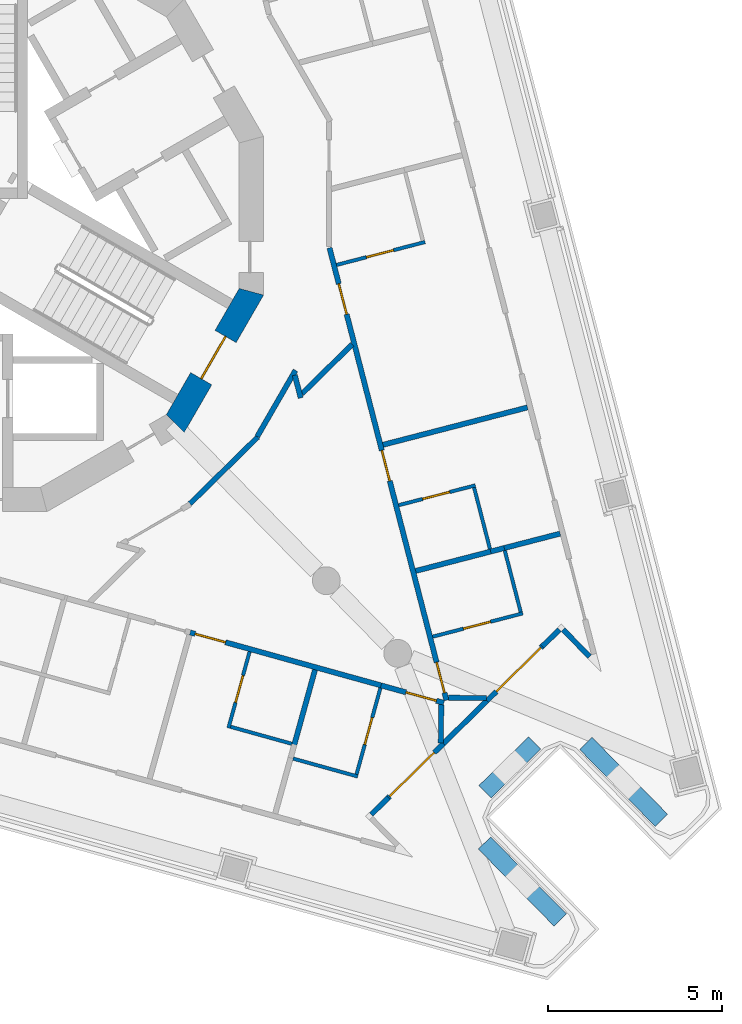
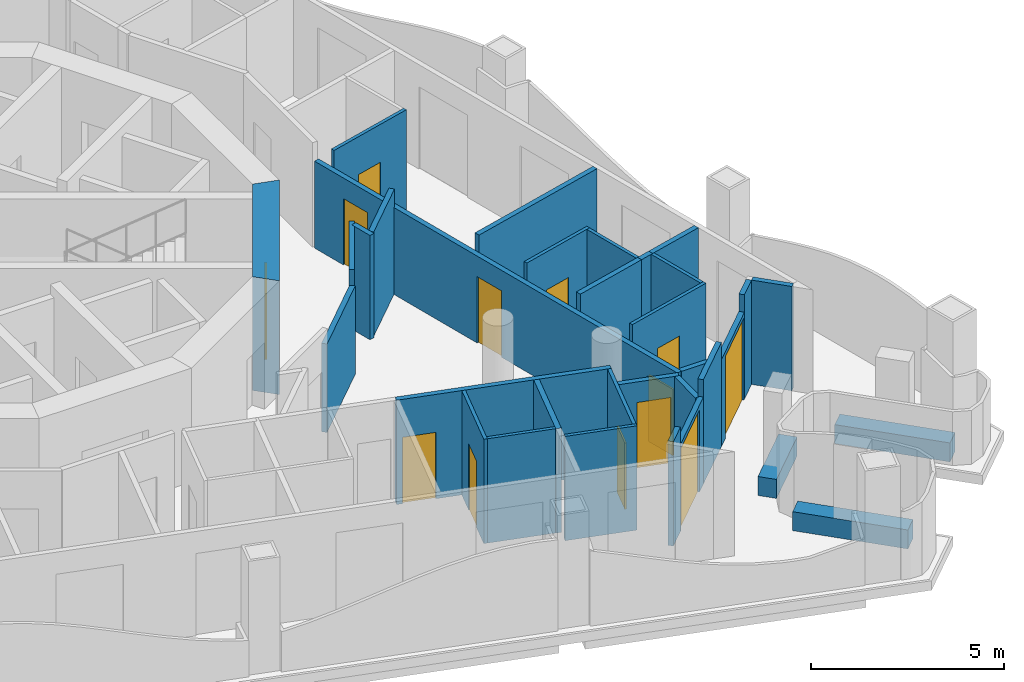
# One storey, part 6 of 15: 33 walls, 13 doors, 13 openings.
"""IFC4 building model written with IfcOpenShell, lengths in metres."""

from ifc_helpers import new_model, si_unit, direction, frame, frame_2d, origin, place, context, subcontext, project, spatial, polyline, rectangle, outline, extrude, material, layer, layer_set, type_object, element, fill, save


model = new_model("IFC4")

# Units and contexts
model_context = context("Model", 3, precision=1e-05, world=origin(), true_north=direction((0.0, 1.0)))
body_context = subcontext(model_context, "Body", "Model", "MODEL_VIEW")
ifc_project = project(units=[si_unit("LENGTHUNIT", "METRE"), si_unit("AREAUNIT", "SQUARE_METRE"), si_unit("VOLUMEUNIT", "CUBIC_METRE"), si_unit("PLANEANGLEUNIT", "RADIAN"), si_unit("MASSUNIT", "GRAM", prefix="KILO")], contexts=[model_context])

# Site, building, storey
site_placement = place(None, origin())
site = spatial("IfcSite", under=ifc_project, at=site_placement, CompositionType="ELEMENT")
building_placement = place(site_placement, origin())
building = spatial("IfcBuilding", under=site, at=building_placement, Name="Trine Commons Tower", CompositionType="ELEMENT")
storey_placement = place(building_placement, frame((0.0, 0.0, 260.10009765625)))
storey = spatial("IfcBuildingStorey", under=building, at=storey_placement, Name="L68", CompositionType="ELEMENT", Elevation=260.10009765625)

# Walls
ifc_material_1 = material(Name="Aluminium-framed insulated wall panel", Category="aluminium")
ifc_layer_1 = layer(ifc_material_1, 0.14990234375)
ifc_layer_set_1 = layer_set([ifc_layer_1], Name="Aluminium-framed insulated wall panel")
wall_type_1 = type_object("IfcWallType", Name="Glazed frame wall 150, EI 60", PredefinedType="SOLIDWALL", material=ifc_layer_set_1)
wall_1_placement = place(storey_placement, frame((97.966796875, 49.731201171875, 0.0), z_axis=(0.0, 0.0, 1.0), x_axis=(-0.700999978355, 0.71316129336, 0.0)))
element("IfcWall", 1, at=wall_1_placement, inside=storey, type_object=wall_type_1, Name="Glazed frame wall R6", PredefinedType="SOLIDWALL", context=body_context, shape_type="SweptSolid", body=[
    extrude(outline(polyline([(0.1494140625, 0.074951171875), (0.1494140625, -0.074951171875), (1.235107421875, -0.074951171875), (1.235107421875, 0.074951171875), (0.1494140625, 0.074951171875)])), origin(), (0.0, 0.0, 1.0), 3.2998046875),
])
wall_2_placement = place(storey_placement, frame((97.073486328125, 50.690185546875, 0.0), z_axis=(0.0, 0.0, 1.0), x_axis=(-0.713183853176, -0.700977026421, 0.0)))
element("IfcWall", 2, at=wall_2_placement, inside=storey, type_object=wall_type_1, Name="Glazed frame wall P2.1", PredefinedType="SOLIDWALL", context=body_context, shape_type="SweptSolid", body=[
    extrude(outline(polyline([(0.110107421875, -0.074951171875), (0.800048828125, -0.074951171875), (0.800048828125, 0.074951171875), (0.110107421875, 0.074951171875), (0.110107421875, -0.074951171875)])), origin(), (0.0, 0.0, 1.0), 3.2998046875),
])

# Wall, opening, door
wall_3_placement = place(storey_placement, frame((96.5029296875, 50.12939453125, 0.0), z_axis=(0.0, 0.0, 1.0), x_axis=(-0.713289197044, -0.70086983198, 0.0)))
wall_3 = element("IfcWall", 3, at=wall_3_placement, inside=storey, type_object=wall_type_1, Name="Glazed frame wall P2.2", PredefinedType="SOLIDWALL", context=body_context, shape_type="SweptSolid", body=[
    extrude(outline(polyline([(0.0, -0.074951171875), (2.221435546875, -0.074951171875), (2.221435546875, 0.074951171875), (0.0, 0.074951171875), (0.0, -0.074951171875)])), origin(), (0.0, 0.0, 1.0), 2.75),
])
opening_1_placement = place(wall_3_placement, frame((0.050048828125, 0.0, 0.0)))
opening_1 = element("IfcOpeningElement", 4, at=opening_1_placement, cuts=wall_3, Name="Opening BD-7P2-01", PredefinedType="OPENING", context=body_context, shape_type="SweptSolid", body=[
    extrude(rectangle(XDim=1.800048828125, YDim=2.60009765625, at=frame_2d((0.89990234375, 1.300048828125))), frame((0.0, 0.0849609375, 0.0), z_axis=(0.0, -1.0, 0.0), x_axis=(1.0, 0.0, 0.0)), (0.0, 0.0, 1.0), 0.169921875),
])
ifc_material_2 = material(Name="Anodised aluminium frame with double glazing", Category="aluminium")
door_type_1 = type_object("IfcDoorType", Name="Sliding loggia door 1800x2600", OperationType="SLIDING_TO_LEFT", PredefinedType="DOOR", material=ifc_material_2)
door_1_placement = place(opening_1_placement, origin())
door_1 = element("IfcDoor", 5, at=door_1_placement, inside=storey, type_object=door_type_1, Name="Loggia door P2 1", OperationType="SLIDING_TO_LEFT", OverallHeight=2.60009765625, OverallWidth=1.800048828125, PredefinedType="DOOR", context=body_context, shape_type="SweptSolid", body=[
    extrude(rectangle(XDim=1.800048828125, YDim=2.60009765625, at=frame_2d((0.89990234375, 1.300048828125))), frame((0.0, 0.02490234375, 0.0), z_axis=(0.0, -1.0, 0.0), x_axis=(1.0, 0.0, 0.0)), (0.0, 0.0, 1.0), 0.050048828125),
])
fill(opening_1, door_1)

# Wall
wall_4_placement = place(storey_placement, frame((94.91845703125, 48.572509765625, 0.0), z_axis=(0.0, 0.0, 1.0), x_axis=(-0.713193839807, -0.700966865737, 0.0)))
element("IfcWall", 6, at=wall_4_placement, inside=storey, type_object=wall_type_1, Name="Glazed frame wall P2.3", PredefinedType="SOLIDWALL", context=body_context, shape_type="SweptSolid", body=[
    extrude(outline(polyline([(0.0, -0.074951171875), (1.757080078125, -0.074951171875), (1.757080078125, 0.074951171875), (0.0, 0.074951171875), (0.0, -0.074951171875)])), origin(), (0.0, 0.0, 1.0), 3.2998046875),
])

# Wall, opening, door
wall_5_placement = place(storey_placement, frame((93.665283203125, 47.3408203125, 0.0), z_axis=(0.0, 0.0, 1.0), x_axis=(-0.713234254618, -0.700925743599, 0.0)))
wall_5 = element("IfcWall", 7, at=wall_5_placement, inside=storey, type_object=wall_type_1, Name="Glazed frame wall P2.4", PredefinedType="SOLIDWALL", context=body_context, shape_type="SweptSolid", body=[
    extrude(outline(polyline([(0.0, -0.074951171875), (2.221435546875, -0.074951171875), (2.221435546875, 0.074951171875), (0.0, 0.074951171875), (0.0, -0.074951171875)])), origin(), (0.0, 0.0, 1.0), 2.75),
])
opening_2_placement = place(wall_5_placement, frame((0.37158203125, 0.0, 0.0)))
opening_2 = element("IfcOpeningElement", 8, at=opening_2_placement, cuts=wall_5, Name="Opening BD-7P2-02", PredefinedType="OPENING", context=body_context, shape_type="SweptSolid", body=[
    extrude(rectangle(XDim=1.800048828125, YDim=2.60009765625, at=frame_2d((0.89990234375, 1.300048828125))), frame((0.0, 0.0849609375, 0.0), z_axis=(0.0, -1.0, 0.0), x_axis=(1.0, 0.0, 0.0)), (0.0, 0.0, 1.0), 0.169921875),
])
door_2_placement = place(opening_2_placement, origin())
door_2 = element("IfcDoor", 9, at=door_2_placement, inside=storey, type_object=door_type_1, Name="Loggia door P2 2", OperationType="SLIDING_TO_LEFT", OverallHeight=2.60009765625, OverallWidth=1.800048828125, PredefinedType="DOOR", context=body_context, shape_type="SweptSolid", body=[
    extrude(rectangle(XDim=1.800048828125, YDim=2.60009765625, at=frame_2d((0.89990234375, 1.300048828125))), frame((0.0, 0.02490234375, 0.0), z_axis=(0.0, -1.0, 0.0), x_axis=(1.0, 0.0, 0.0)), (0.0, 0.0, 1.0), 0.050048828125),
])
fill(opening_2, door_2)

# Walls
wall_6_placement = place(storey_placement, frame((92.080810546875, 45.78369140625, 0.0), z_axis=(0.0, 0.0, 1.0), x_axis=(-0.713333755576, -0.700824480991, 0.0)))
element("IfcWall", 10, at=wall_6_placement, inside=storey, type_object=wall_type_1, Name="Glazed frame wall P2.5", PredefinedType="SOLIDWALL", context=body_context, shape_type="SweptSolid", body=[
    extrude(outline(polyline([(0.68994140625, 0.074951171875), (0.0, 0.074951171875), (0.0, -0.074951171875), (0.68994140625, -0.074951171875), (0.68994140625, 0.074951171875)])), origin(), (0.0, 0.0, 1.0), 3.2998046875),
])
ifc_material_3 = material(Name="Planter trough, precast concrete C40/50", Category="concrete")
ifc_layer_2 = layer(ifc_material_3, 0.5)
ifc_layer_set_2 = layer_set([ifc_layer_2], Name="Planter trough, precast concrete C40/50")
wall_type_2 = type_object("IfcWallType", Name="Planter trough 500x600", PredefinedType="PARAPET", material=ifc_layer_set_2)
wall_7_placement = place(storey_placement, frame((99.927734375, 45.1318359375, 0.0), z_axis=(0.0, 0.0, 1.0), x_axis=(-0.700897681372, 0.713261831481, 0.0)))
element("IfcWall", 11, at=wall_7_placement, inside=storey, type_object=wall_type_2, Name="Planter 7", PredefinedType="PARAPET", context=body_context, shape_type="SweptSolid", body=[
    extrude(rectangle(XDim=3.10009765625, YDim=0.5, at=frame_2d((1.550048828125, 0.0))), origin(), (0.0, 0.0, 1.0), 0.599853515625),
])
wall_8_placement = place(storey_placement, frame((96.2841796875, 47.355712890625, 0.0), z_axis=(0.0, 0.0, 1.0), x_axis=(-0.713305380591, -0.700853361282, 0.0)))
element("IfcWall", 12, at=wall_8_placement, inside=storey, type_object=wall_type_2, Name="Planter 8", PredefinedType="PARAPET", context=body_context, shape_type="SweptSolid", body=[
    extrude(rectangle(XDim=1.999755859375, YDim=0.5, at=frame_2d((1.0, 0.0))), origin(), (0.0, 0.0, 1.0), 0.599853515625),
])
wall_9_placement = place(storey_placement, frame((94.844970703125, 44.4833984375, 0.0), z_axis=(0.0, 0.0, 1.0), x_axis=(0.700857613291, -0.713301202784, 0.0)))
element("IfcWall", 13, at=wall_9_placement, inside=storey, type_object=wall_type_2, Name="Planter 9", PredefinedType="PARAPET", context=body_context, shape_type="SweptSolid", body=[
    extrude(rectangle(XDim=3.099853515625, YDim=0.5, at=frame_2d((1.5498046875, 0.0))), origin(), (0.0, 0.0, 1.0), 0.599853515625),
])

# Wall, opening, door
ifc_material_4 = material(Name="Concrete C50/60", Category="concrete")
ifc_layer_3 = layer(ifc_material_4, 0.699951171875)
ifc_layer_set_3 = layer_set([ifc_layer_3], Name="Concrete C50/60")
wall_type_3 = type_object("IfcWallType", Name="RC shear wall 700 mm, C50/60", PredefinedType="SHEAR", material=ifc_layer_set_3)
wall_10_placement = place(storey_placement, frame((85.91943359375, 56.452392578125, 0.0), z_axis=(0.0, 0.0, 1.0), x_axis=(0.499983800959, 0.866034756103, 0.0)))
wall_10 = element("IfcWall", 14, at=wall_10_placement, inside=storey, type_object=wall_type_3, Name="Core wall CWG-12 L68", PredefinedType="SHEAR", context=body_context, shape_type="SweptSolid", body=[
    extrude(outline(polyline([(0.0, -0.35009765625), (4.55517578125, -0.35009765625), (4.36767578125, 0.35009765625), (0.1875, 0.35009765625), (0.0, -0.35009765625)])), origin(), (0.0, 0.0, 1.0), 3.599853515625),
])
opening_3_placement = place(wall_10_placement, frame((1.577392578125, 0.0, 0.0)))
opening_3 = element("IfcOpeningElement", 15, at=opening_3_placement, cuts=wall_10, Name="Opening K16.03", PredefinedType="OPENING", context=body_context, shape_type="SweptSolid", body=[
    extrude(rectangle(XDim=1.39990234375, YDim=2.10009765625, at=frame_2d((0.699951171875, 1.050048828125))), frame((0.0, 0.35986328125, 0.0), z_axis=(0.0, -1.0, 0.0), x_axis=(1.0, 0.0, 0.0)), (0.0, 0.0, 1.0), 0.719970703125),
])
ifc_material_5 = material(Name="Steel door leaves, fire-rated", Category="steel")
door_type_2 = type_object("IfcDoorType", Name="Stair door, double leaf 1400 x 2100, FD90", OperationType="DOUBLE_DOOR_SINGLE_SWING", PredefinedType="DOOR", material=ifc_material_5)
door_3_placement = place(opening_3_placement, origin())
door_3 = element("IfcDoor", 16, at=door_3_placement, inside=storey, type_object=door_type_2, Name="Stair door to Exit stair ST3C L68", OperationType="DOUBLE_DOOR_SINGLE_SWING", OverallHeight=2.10009765625, OverallWidth=1.39990234375, PredefinedType="DOOR", context=body_context, shape_type="SweptSolid", body=[
    extrude(rectangle(XDim=1.39990234375, YDim=2.10009765625, at=frame_2d((0.699951171875, 1.050048828125))), frame((0.0, 0.02490234375, 0.0), z_axis=(0.0, -1.0, 0.0), x_axis=(1.0, 0.0, 0.0)), (0.0, 0.0, 1.0), 0.050048828125),
])
fill(opening_3, door_3)

# Wall
ifc_material_6 = material(Name="Gypsum plasterboard on steel stud", Category="steel")
ifc_layer_4 = layer(ifc_material_6, 0.14990234375)
ifc_layer_set_4 = layer_set([ifc_layer_4], Name="Gypsum plasterboard on steel stud")
wall_type_4 = type_object("IfcWallType", Name="Unit and corridor wall 150 mm, EI 60", PredefinedType="PARTITIONING", material=ifc_layer_set_4)
wall_11_placement = place(storey_placement, frame((86.384521484375, 54.2275390625, 0.0), z_axis=(0.0, 0.0, 1.0), x_axis=(0.713113779806, 0.701048312922, 0.0)))
element("IfcWall", 17, at=wall_11_placement, inside=storey, type_object=wall_type_4, Name="Partition 083", PredefinedType="PARTITIONING", context=body_context, shape_type="SweptSolid", body=[
    extrude(rectangle(XDim=2.731689453125, YDim=0.14990234375, at=frame_2d((1.36572265625, 0.0))), origin(), (0.0, 0.0, 1.0), 2.7998046875),
])

# Wall, opening, door
wall_12_placement = place(storey_placement, frame((86.39111328125, 50.529052734375, 0.0), z_axis=(0.0, 0.0, 1.0), x_axis=(0.963638337946, -0.267209943005, 0.0)))
wall_12 = element("IfcWall", 18, at=wall_12_placement, inside=storey, type_object=wall_type_4, Name="Partition 084", PredefinedType="PARTITIONING", context=body_context, shape_type="SweptSolid", body=[
    extrude(rectangle(XDim=5.74609375, YDim=0.14990234375, at=frame_2d((2.873046875, 0.0))), origin(), (0.0, 0.0, 1.0), 3.2998046875),
])
opening_4_placement = place(wall_12_placement, frame((0.14990234375, 0.0, 0.0)))
opening_4 = element("IfcOpeningElement", 19, at=opening_4_placement, cuts=wall_12, Name="Opening D-7C19", PredefinedType="OPENING", context=body_context, shape_type="SweptSolid", body=[
    extrude(rectangle(XDim=0.89990234375, YDim=2.10009765625, at=frame_2d((0.449951171875, 1.050048828125))), frame((0.0, 0.0849609375, 0.0), z_axis=(0.0, -1.0, 0.0), x_axis=(1.0, 0.0, 0.0)), (0.0, 0.0, 1.0), 0.169921875),
])
ifc_material_7 = material(Name="Timber fire door set", Category="wood")
door_type_3 = type_object("IfcDoorType", Name="Bedroom door 900 x 2100, FD30S", OperationType="NOTDEFINED", PredefinedType="DOOR", material=ifc_material_7)
door_4_placement = place(opening_4_placement, frame((0.89990234375, 0.0, 0.0), z_axis=(0.0, 0.0, 1.0), x_axis=(-1.0, 0.0, 0.0)))
door_4 = element("IfcDoor", 20, at=door_4_placement, inside=storey, type_object=door_type_3, Name="Door D-7C19", OperationType="SINGLE_SWING_RIGHT", OverallHeight=2.10009765625, OverallWidth=0.89990234375, PredefinedType="DOOR", context=body_context, shape_type="SweptSolid", body=[
    extrude(rectangle(XDim=0.89990234375, YDim=2.10009765625, at=frame_2d((0.449951171875, 1.050048828125))), frame((0.0, 0.02490234375, 0.0), z_axis=(0.0, -1.0, 0.0), x_axis=(1.0, 0.0, 0.0)), (0.0, 0.0, 1.0), 0.050048828125),
])
fill(opening_4, door_4)

# Walls
wall_13_placement = place(storey_placement, frame((88.31640625, 56.15478515625, 0.0), z_axis=(0.0, 0.0, 1.0), x_axis=(0.500129524705, 0.865950609745, 0.0)))
element("IfcWall", 21, at=wall_13_placement, inside=storey, type_object=wall_type_4, Name="Partition 093", PredefinedType="PARTITIONING", context=body_context, shape_type="SweptSolid", body=[
    extrude(rectangle(XDim=2.19775390625, YDim=0.14990234375, at=frame_2d((1.098876953125, 0.0))), origin(), (0.0, 0.0, 1.0), 3.2998046875),
])
wall_14_placement = place(storey_placement, frame((89.396728515625, 57.92041015625, 0.0), z_axis=(0.0, 0.0, 1.0), x_axis=(0.249398389606, -0.968400972357, 0.0)))
element("IfcWall", 22, at=wall_14_placement, inside=storey, type_object=wall_type_4, Name="Partition 101", PredefinedType="PARTITIONING", context=body_context, shape_type="SweptSolid", body=[
    extrude(rectangle(XDim=0.677490234375, YDim=0.14990234375, at=frame_2d((0.3388671875, 0.0))), origin(), (0.0, 0.0, 1.0), 3.2998046875),
])
wall_15_placement = place(storey_placement, frame((89.36865234375, 47.259765625, 0.0), z_axis=(0.0, 0.0, 1.0), x_axis=(0.266876022504, 0.963730869388, 0.0)))
element("IfcWall", 23, at=wall_15_placement, inside=storey, type_object=wall_type_4, Name="Partition 102", PredefinedType="PARTITIONING", context=body_context, shape_type="SweptSolid", body=[
    extrude(rectangle(XDim=2.27978515625, YDim=0.14990234375, at=frame_2d((1.139892578125, 0.0))), origin(), (0.0, 0.0, 1.0), 3.2998046875),
])
wall_16_placement = place(storey_placement, frame((89.60546875, 57.3896484375, 0.0), z_axis=(0.0, 0.0, 1.0), x_axis=(0.713082264155, 0.701080369535, 0.0)))
element("IfcWall", 24, at=wall_16_placement, inside=storey, type_object=wall_type_4, Name="Partition 106", PredefinedType="PARTITIONING", context=body_context, shape_type="SweptSolid", body=[
    extrude(rectangle(XDim=2.013916015625, YDim=0.14990234375, at=frame_2d((1.0068359375, 0.0))), origin(), (0.0, 0.0, 1.0), 3.2998046875),
])

# Wall, openings, doors
wall_17_placement = place(storey_placement, frame((90.39208984375, 61.576904296875, 0.0), z_axis=(0.0, 0.0, 1.0), x_axis=(0.250222915492, -0.968188252646, 0.0)))
wall_17 = element("IfcWall", 25, at=wall_17_placement, inside=storey, type_object=wall_type_4, Name="Partition 109", PredefinedType="PARTITIONING", context=body_context, shape_type="SweptSolid", body=[
    extrude(rectangle(XDim=13.422607421875, YDim=0.14990234375, at=frame_2d((6.71142578125, 0.0))), origin(), (0.0, 0.0, 1.0), 2.75),
])
opening_5_placement = place(wall_17_placement, frame((1.06884765625, 0.0, 0.0)))
opening_5 = element("IfcOpeningElement", 26, at=opening_5_placement, cuts=wall_17, Name="Opening D-7C15", PredefinedType="OPENING", context=body_context, shape_type="SweptSolid", body=[
    extrude(rectangle(XDim=0.89990234375, YDim=2.10009765625, at=frame_2d((0.449951171875, 1.050048828125))), frame((0.0, 0.0849609375, 0.0), z_axis=(0.0, -1.0, 0.0), x_axis=(1.0, 0.0, 0.0)), (0.0, 0.0, 1.0), 0.169921875),
])
opening_6_placement = place(wall_17_placement, frame((6.011962890625, 0.0, 0.0)))
opening_6 = element("IfcOpeningElement", 27, at=opening_6_placement, cuts=wall_17, Name="Opening D-7C16", PredefinedType="OPENING", context=body_context, shape_type="SweptSolid", body=[
    extrude(rectangle(XDim=0.89990234375, YDim=2.10009765625, at=frame_2d((0.449951171875, 1.050048828125))), frame((0.0, 0.0849609375, 0.0), z_axis=(0.0, -1.0, 0.0), x_axis=(1.0, 0.0, 0.0)), (0.0, 0.0, 1.0), 0.169921875),
])
opening_7_placement = place(wall_17_placement, frame((12.297607421875, 0.0, 0.0)))
opening_7 = element("IfcOpeningElement", 28, at=opening_7_placement, cuts=wall_17, Name="Opening D-7C17", PredefinedType="OPENING", context=body_context, shape_type="SweptSolid", body=[
    extrude(rectangle(XDim=0.89990234375, YDim=2.10009765625, at=frame_2d((0.449951171875, 1.050048828125))), frame((0.0, 0.0849609375, 0.0), z_axis=(0.0, -1.0, 0.0), x_axis=(1.0, 0.0, 0.0)), (0.0, 0.0, 1.0), 0.169921875),
])
door_5_placement = place(opening_5_placement, origin())
door_5 = element("IfcDoor", 29, at=door_5_placement, inside=storey, type_object=door_type_3, Name="Door D-7C15", OperationType="SINGLE_SWING_LEFT", OverallHeight=2.10009765625, OverallWidth=0.89990234375, PredefinedType="DOOR", context=body_context, shape_type="SweptSolid", body=[
    extrude(rectangle(XDim=0.89990234375, YDim=2.10009765625, at=frame_2d((0.449951171875, 1.050048828125))), frame((0.0, 0.02490234375, 0.0), z_axis=(0.0, -1.0, 0.0), x_axis=(1.0, 0.0, 0.0)), (0.0, 0.0, 1.0), 0.050048828125),
])
fill(opening_5, door_5)
door_6_placement = place(opening_6_placement, origin())
door_6 = element("IfcDoor", 30, at=door_6_placement, inside=storey, type_object=door_type_3, Name="Door D-7C16", OperationType="SINGLE_SWING_LEFT", OverallHeight=2.10009765625, OverallWidth=0.89990234375, PredefinedType="DOOR", context=body_context, shape_type="SweptSolid", body=[
    extrude(rectangle(XDim=0.89990234375, YDim=2.10009765625, at=frame_2d((0.449951171875, 1.050048828125))), frame((0.0, 0.02490234375, 0.0), z_axis=(0.0, -1.0, 0.0), x_axis=(1.0, 0.0, 0.0)), (0.0, 0.0, 1.0), 0.050048828125),
])
fill(opening_6, door_6)
door_7_placement = place(opening_7_placement, origin())
door_7 = element("IfcDoor", 31, at=door_7_placement, inside=storey, type_object=door_type_3, Name="Door D-7C17", OperationType="SINGLE_SWING_RIGHT", OverallHeight=2.10009765625, OverallWidth=0.89990234375, PredefinedType="DOOR", context=body_context, shape_type="SweptSolid", body=[
    extrude(rectangle(XDim=0.89990234375, YDim=2.10009765625, at=frame_2d((0.449951171875, 1.050048828125))), frame((0.0, 0.02490234375, 0.0), z_axis=(0.0, -1.0, 0.0), x_axis=(1.0, 0.0, 0.0)), (0.0, 0.0, 1.0), 0.050048828125),
])
fill(opening_7, door_7)

# Wall
wall_18_placement = place(storey_placement, frame((91.9296875, 55.919921875, 0.0), z_axis=(0.0, 0.0, 1.0), x_axis=(0.968143339783, 0.250396632634, 0.0)))
element("IfcWall", 32, at=wall_18_placement, inside=storey, type_object=wall_type_4, Name="Partition 114", PredefinedType="PARTITIONING", context=body_context, shape_type="SweptSolid", body=[
    extrude(rectangle(XDim=4.28515625, YDim=0.14990234375, at=frame_2d((2.142578125, 0.0))), origin(), (0.0, 0.0, 1.0), 3.2998046875),
])

# Wall, opening, door
wall_19_placement = place(storey_placement, frame((91.8720703125, 49.009033203125, 0.0), z_axis=(0.0, 0.0, 1.0), x_axis=(0.963678404511, -0.26706540899, 0.0)))
wall_19 = element("IfcWall", 33, at=wall_19_placement, inside=storey, type_object=wall_type_4, Name="Partition 115", PredefinedType="PARTITIONING", context=body_context, shape_type="SweptSolid", body=[
    extrude(rectangle(XDim=1.872314453125, YDim=0.14990234375, at=frame_2d((0.93603515625, 0.0))), origin(), (0.0, 0.0, 1.0), 2.75),
])
opening_8_placement = place(wall_19_placement, frame((0.747314453125, 0.0, 0.0)))
opening_8 = element("IfcOpeningElement", 34, at=opening_8_placement, cuts=wall_19, Name="Opening D-7C18", PredefinedType="OPENING", context=body_context, shape_type="SweptSolid", body=[
    extrude(rectangle(XDim=0.89990234375, YDim=2.10009765625, at=frame_2d((0.449951171875, 1.050048828125))), frame((0.0, 0.0849609375, 0.0), z_axis=(0.0, -1.0, 0.0), x_axis=(1.0, 0.0, 0.0)), (0.0, 0.0, 1.0), 0.169921875),
])
door_8_placement = place(opening_8_placement, frame((0.89990234375, 0.0, 0.0), z_axis=(0.0, 0.0, 1.0), x_axis=(-1.0, 0.0, 0.0)))
door_8 = element("IfcDoor", 35, at=door_8_placement, inside=storey, type_object=door_type_3, Name="Door D-7C18", OperationType="SINGLE_SWING_LEFT", OverallHeight=2.10009765625, OverallWidth=0.89990234375, PredefinedType="DOOR", context=body_context, shape_type="SweptSolid", body=[
    extrude(rectangle(XDim=0.89990234375, YDim=2.10009765625, at=frame_2d((0.449951171875, 1.050048828125))), frame((0.0, 0.02490234375, 0.0), z_axis=(0.0, -1.0, 0.0), x_axis=(1.0, 0.0, 0.0)), (0.0, 0.0, 1.0), 0.050048828125),
])
fill(opening_8, door_8)

# Walls
wall_20_placement = place(storey_placement, frame((92.86767578125, 52.296875, 0.0), z_axis=(0.0, 0.0, 1.0), x_axis=(0.968121216345, 0.250482155975, 0.0)))
element("IfcWall", 36, at=wall_20_placement, inside=storey, type_object=wall_type_4, Name="Partition 119", PredefinedType="PARTITIONING", context=body_context, shape_type="SweptSolid", body=[
    extrude(rectangle(XDim=2.22412109375, YDim=0.14990234375, at=frame_2d((1.112060546875, 0.0))), origin(), (0.0, 0.0, 1.0), 3.2998046875),
])
for number, where, z_axis, x_axis, name in (
    (37, (93.589599609375, 47.35595703125, 0.0), (0.0, 0.0, 1.0), (0.012226742726, 0.999925250587, 0.0), "Partition 121"),
    (38, (93.806884765625, 48.653564453125, 0.0), (0.0, 0.0, 1.0), (0.999983294214, -0.005780250256, 0.0), "Partition 122"),
):
    element("IfcWall", number, at=place(storey_placement, frame(where, z_axis=z_axis, x_axis=x_axis)), inside=storey, type_object=wall_type_4, Name=name, PredefinedType="PARTITIONING", context=body_context, shape_type="SweptSolid", body=[
        extrude(rectangle(XDim=1.09814453125, YDim=0.14990234375, at=frame_2d((0.549072265625, 0.0))), origin(), (0.0, 0.0, 1.0), 2.75),
    ])
wall_21_placement = place(storey_placement, frame((95.02099609375, 52.85400390625, 0.0), z_axis=(0.0, 0.0, 1.0), x_axis=(0.968343173742, 0.249622711039, 0.0)))
element("IfcWall", 39, at=wall_21_placement, inside=storey, type_object=wall_type_4, Name="Partition 124", PredefinedType="PARTITIONING", context=body_context, shape_type="SweptSolid", body=[
    extrude(rectangle(XDim=0.405029296875, YDim=0.14990234375, at=frame_2d((0.20263671875, 0.0))), origin(), (0.0, 0.0, 1.0), 3.2998046875),
])
wall_22_placement = place(storey_placement, frame((95.405029296875, 52.952880859375, 0.0), z_axis=(0.0, 0.0, 1.0), x_axis=(0.968213134731, 0.250126619403, 0.0)))
element("IfcWall", 40, at=wall_22_placement, inside=storey, type_object=wall_type_4, Name="Partition 125", PredefinedType="PARTITIONING", context=body_context, shape_type="SweptSolid", body=[
    extrude(rectangle(XDim=1.663330078125, YDim=0.14990234375, at=frame_2d((0.83154296875, 0.0))), origin(), (0.0, 0.0, 1.0), 3.2998046875),
])

# Wall, opening, door
ifc_layer_5 = layer(ifc_material_6, 0.10009765625)
ifc_layer_set_5 = layer_set([ifc_layer_5], Name="Gypsum plasterboard on steel stud")
wall_type_5 = type_object("IfcWallType", Name="Unit partition 100 mm, no rating", PredefinedType="PARTITIONING", material=ifc_layer_set_5)
wall_23_placement = place(storey_placement, frame((87.490478515625, 47.785888671875, 0.0), z_axis=(0.0, 0.0, 1.0), x_axis=(0.267056991967, 0.963680737092, 0.0)))
wall_23 = element("IfcWall", 41, at=wall_23_placement, inside=storey, type_object=wall_type_5, Name="Partition 087", PredefinedType="PARTITIONING", context=body_context, shape_type="SweptSolid", body=[
    extrude(rectangle(XDim=2.2744140625, YDim=0.10009765625, at=frame_2d((1.13720703125, 0.0))), origin(), (0.0, 0.0, 1.0), 3.2998046875),
])
opening_9_placement = place(wall_23_placement, frame((0.76220703125, 0.0, 0.0)))
opening_9 = element("IfcOpeningElement", 42, at=opening_9_placement, cuts=wall_23, Name="Opening D-7C40", PredefinedType="OPENING", context=body_context, shape_type="SweptSolid", body=[
    extrude(rectangle(XDim=0.800048828125, YDim=2.10009765625, at=frame_2d((0.39990234375, 1.050048828125))), frame((0.0, 0.06005859375, 0.0), z_axis=(0.0, -1.0, 0.0), x_axis=(1.0, 0.0, 0.0)), (0.0, 0.0, 1.0), 0.1201171875),
])
ifc_material_8 = material(Name="Painted timber", Category="wood")
door_type_4 = type_object("IfcDoorType", Name="Internal door 800 x 2100, NOT RATED", OperationType="NOTDEFINED", PredefinedType="DOOR", material=ifc_material_8)
door_9_placement = place(opening_9_placement, origin())
door_9 = element("IfcDoor", 43, at=door_9_placement, inside=storey, type_object=door_type_4, Name="Door D-7C40", OperationType="SINGLE_SWING_RIGHT", OverallHeight=2.10009765625, OverallWidth=0.800048828125, PredefinedType="DOOR", context=body_context, shape_type="SweptSolid", body=[
    extrude(rectangle(XDim=0.800048828125, YDim=2.10009765625, at=frame_2d((0.39990234375, 1.050048828125))), frame((0.0, 0.02490234375, 0.0), z_axis=(0.0, -1.0, 0.0), x_axis=(1.0, 0.0, 0.0)), (0.0, 0.0, 1.0), 0.050048828125),
])
fill(opening_9, door_9)

# Walls
wall_24_placement = place(storey_placement, frame((87.55224609375, 47.820556640625, 0.0), z_axis=(0.0, 0.0, 1.0), x_axis=(0.963512160179, -0.267664560949, 0.0)))
element("IfcWall", 44, at=wall_24_placement, inside=storey, type_object=wall_type_5, Name="Partition 088", PredefinedType="PARTITIONING", context=body_context, shape_type="SweptSolid", body=[
    extrude(rectangle(XDim=1.8251953125, YDim=0.10009765625, at=frame_2d((0.91259765625, 0.0))), origin(), (0.0, 0.0, 1.0), 3.2998046875),
])
wall_25_placement = place(storey_placement, frame((89.348388671875, 46.906982421875, 0.0), z_axis=(0.0, 0.0, 1.0), x_axis=(0.963625049046, -0.267257862095, 0.0)))
element("IfcWall", 45, at=wall_25_placement, inside=storey, type_object=wall_type_5, Name="Partition 100", PredefinedType="PARTITIONING", context=body_context, shape_type="SweptSolid", body=[
    extrude(rectangle(XDim=1.9248046875, YDim=0.10009765625, at=frame_2d((0.96240234375, 0.0))), origin(), (0.0, 0.0, 1.0), 3.2998046875),
])

# Wall, opening, door
wall_26_placement = place(storey_placement, frame((90.594482421875, 61.085693359375, 0.0), z_axis=(0.0, 0.0, 1.0), x_axis=(0.968118925751, 0.250491009025, 0.0)))
wall_26 = element("IfcWall", 46, at=wall_26_placement, inside=storey, type_object=wall_type_5, Name="Partition 110", PredefinedType="PARTITIONING", context=body_context, shape_type="SweptSolid", body=[
    extrude(rectangle(XDim=2.625732421875, YDim=0.10009765625, at=frame_2d((1.31298828125, 0.0))), origin(), (0.0, 0.0, 1.0), 3.2998046875),
])
opening_10_placement = place(wall_26_placement, frame((0.8876953125, 0.0, 0.0)))
opening_10 = element("IfcOpeningElement", 47, at=opening_10_placement, cuts=wall_26, Name="Opening D-7C36", PredefinedType="OPENING", context=body_context, shape_type="SweptSolid", body=[
    extrude(rectangle(XDim=0.800048828125, YDim=2.10009765625, at=frame_2d((0.39990234375, 1.050048828125))), frame((0.0, 0.06005859375, 0.0), z_axis=(0.0, -1.0, 0.0), x_axis=(1.0, 0.0, 0.0)), (0.0, 0.0, 1.0), 0.1201171875),
])
door_10_placement = place(opening_10_placement, frame((0.800048828125, 0.0, 0.0), z_axis=(0.0, 0.0, 1.0), x_axis=(-1.0, 0.0, 0.0)))
door_10 = element("IfcDoor", 48, at=door_10_placement, inside=storey, type_object=door_type_4, Name="Door D-7C36", OperationType="SINGLE_SWING_RIGHT", OverallHeight=2.10009765625, OverallWidth=0.800048828125, PredefinedType="DOOR", context=body_context, shape_type="SweptSolid", body=[
    extrude(rectangle(XDim=0.800048828125, YDim=2.10009765625, at=frame_2d((0.39990234375, 1.050048828125))), frame((0.0, 0.02490234375, 0.0), z_axis=(0.0, -1.0, 0.0), x_axis=(1.0, 0.0, 0.0)), (0.0, 0.0, 1.0), 0.050048828125),
])
fill(opening_10, door_10)

wall_27_placement = place(storey_placement, frame((91.16845703125, 46.4541015625, 0.0), z_axis=(0.0, 0.0, 1.0), x_axis=(0.266973908606, 0.96370375745, 0.0)))
wall_27 = element("IfcWall", 49, at=wall_27_placement, inside=storey, type_object=wall_type_5, Name="Partition 112", PredefinedType="PARTITIONING", context=body_context, shape_type="SweptSolid", body=[
    extrude(rectangle(XDim=2.5751953125, YDim=0.10009765625, at=frame_2d((1.28759765625, 0.0))), origin(), (0.0, 0.0, 1.0), 3.2998046875),
])
opening_11_placement = place(wall_27_placement, frame((0.8876953125, 0.0, 0.0)))
opening_11 = element("IfcOpeningElement", 50, at=opening_11_placement, cuts=wall_27, Name="Opening D-7C39", PredefinedType="OPENING", context=body_context, shape_type="SweptSolid", body=[
    extrude(rectangle(XDim=0.800048828125, YDim=2.10009765625, at=frame_2d((0.39990234375, 1.050048828125))), frame((0.0, 0.06005859375, 0.0), z_axis=(0.0, -1.0, 0.0), x_axis=(1.0, 0.0, 0.0)), (0.0, 0.0, 1.0), 0.1201171875),
])
door_11_placement = place(opening_11_placement, frame((0.800048828125, 0.0, 0.0), z_axis=(0.0, 0.0, 1.0), x_axis=(-1.0, 0.0, 0.0)))
door_11 = element("IfcDoor", 51, at=door_11_placement, inside=storey, type_object=door_type_4, Name="Door D-7C39", OperationType="SINGLE_SWING_LEFT", OverallHeight=2.10009765625, OverallWidth=0.800048828125, PredefinedType="DOOR", context=body_context, shape_type="SweptSolid", body=[
    extrude(rectangle(XDim=0.800048828125, YDim=2.10009765625, at=frame_2d((0.39990234375, 1.050048828125))), frame((0.0, 0.02490234375, 0.0), z_axis=(0.0, -1.0, 0.0), x_axis=(1.0, 0.0, 0.0)), (0.0, 0.0, 1.0), 0.050048828125),
])
fill(opening_11, door_11)

wall_28_placement = place(storey_placement, frame((92.378662109375, 54.184814453125, 0.0), z_axis=(0.0, 0.0, 1.0), x_axis=(0.968154087165, 0.250355074856, 0.0)))
wall_28 = element("IfcWall", 52, at=wall_28_placement, inside=storey, type_object=wall_type_5, Name="Partition 116", PredefinedType="PARTITIONING", context=body_context, shape_type="SweptSolid", body=[
    extrude(rectangle(XDim=2.275146484375, YDim=0.10009765625, at=frame_2d((1.1376953125, 0.0))), origin(), (0.0, 0.0, 1.0), 3.2998046875),
])
opening_12_placement = place(wall_28_placement, frame((0.712646484375, 0.0, 0.0)))
opening_12 = element("IfcOpeningElement", 53, at=opening_12_placement, cuts=wall_28, Name="Opening D-7C37", PredefinedType="OPENING", context=body_context, shape_type="SweptSolid", body=[
    extrude(rectangle(XDim=0.800048828125, YDim=2.10009765625, at=frame_2d((0.39990234375, 1.050048828125))), frame((0.0, 0.06005859375, 0.0), z_axis=(0.0, -1.0, 0.0), x_axis=(1.0, 0.0, 0.0)), (0.0, 0.0, 1.0), 0.1201171875),
])
door_12_placement = place(opening_12_placement, origin())
door_12 = element("IfcDoor", 54, at=door_12_placement, inside=storey, type_object=door_type_4, Name="Door D-7C37", OperationType="SINGLE_SWING_LEFT", OverallHeight=2.10009765625, OverallWidth=0.800048828125, PredefinedType="DOOR", context=body_context, shape_type="SweptSolid", body=[
    extrude(rectangle(XDim=0.800048828125, YDim=2.10009765625, at=frame_2d((0.39990234375, 1.050048828125))), frame((0.0, 0.02490234375, 0.0), z_axis=(0.0, -1.0, 0.0), x_axis=(1.0, 0.0, 0.0)), (0.0, 0.0, 1.0), 0.050048828125),
])
fill(opening_12, door_12)

wall_29_placement = place(storey_placement, frame((93.355712890625, 50.40869140625, 0.0), z_axis=(0.0, 0.0, 1.0), x_axis=(0.968128980119, 0.250452146832, 0.0)))
wall_29 = element("IfcWall", 55, at=wall_29_placement, inside=storey, type_object=wall_type_5, Name="Partition 120", PredefinedType="PARTITIONING", context=body_context, shape_type="SweptSolid", body=[
    extrude(rectangle(XDim=2.6748046875, YDim=0.10009765625, at=frame_2d((1.33740234375, 0.0))), origin(), (0.0, 0.0, 1.0), 3.2998046875),
])
opening_13_placement = place(wall_29_placement, frame((0.91259765625, 0.0, 0.0)))
opening_13 = element("IfcOpeningElement", 56, at=opening_13_placement, cuts=wall_29, Name="Opening D-7C38", PredefinedType="OPENING", context=body_context, shape_type="SweptSolid", body=[
    extrude(rectangle(XDim=0.800048828125, YDim=2.10009765625, at=frame_2d((0.39990234375, 1.050048828125))), frame((0.0, 0.06005859375, 0.0), z_axis=(0.0, -1.0, 0.0), x_axis=(1.0, 0.0, 0.0)), (0.0, 0.0, 1.0), 0.1201171875),
])
door_13_placement = place(opening_13_placement, frame((0.800048828125, 0.0, 0.0), z_axis=(0.0, 0.0, 1.0), x_axis=(-1.0, 0.0, 0.0)))
door_13 = element("IfcDoor", 57, at=door_13_placement, inside=storey, type_object=door_type_4, Name="Door D-7C38", OperationType="SINGLE_SWING_RIGHT", OverallHeight=2.10009765625, OverallWidth=0.800048828125, PredefinedType="DOOR", context=body_context, shape_type="SweptSolid", body=[
    extrude(rectangle(XDim=0.800048828125, YDim=2.10009765625, at=frame_2d((0.39990234375, 1.050048828125))), frame((0.0, 0.02490234375, 0.0), z_axis=(0.0, -1.0, 0.0), x_axis=(1.0, 0.0, 0.0)), (0.0, 0.0, 1.0), 0.050048828125),
])
fill(opening_13, door_13)

# Walls
wall_30_placement = place(storey_placement, frame((94.54541015625, 54.693603515625, 0.0), z_axis=(0.0, 0.0, 1.0), x_axis=(0.250270413218, -0.968175975878, 0.0)))
element("IfcWall", 58, at=wall_30_placement, inside=storey, type_object=wall_type_5, Name="Partition 123", PredefinedType="PARTITIONING", context=body_context, shape_type="SweptSolid", body=[
    extrude(rectangle(XDim=1.8251953125, YDim=0.10009765625, at=frame_2d((0.91259765625, 0.0))), origin(), (0.0, 0.0, 1.0), 3.2998046875),
])
wall_31_placement = place(storey_placement, frame((95.427734375, 52.88134765625, 0.0), z_axis=(0.0, 0.0, 1.0), x_axis=(0.250302828805, -0.968167595973, 0.0)))
element("IfcWall", 59, at=wall_31_placement, inside=storey, type_object=wall_type_5, Name="Partition 126", PredefinedType="PARTITIONING", context=body_context, shape_type="SweptSolid", body=[
    extrude(rectangle(XDim=1.824951171875, YDim=0.10009765625, at=frame_2d((0.91259765625, 0.0))), origin(), (0.0, 0.0, 1.0), 3.2998046875),
])

save(model, "model.ifc")
